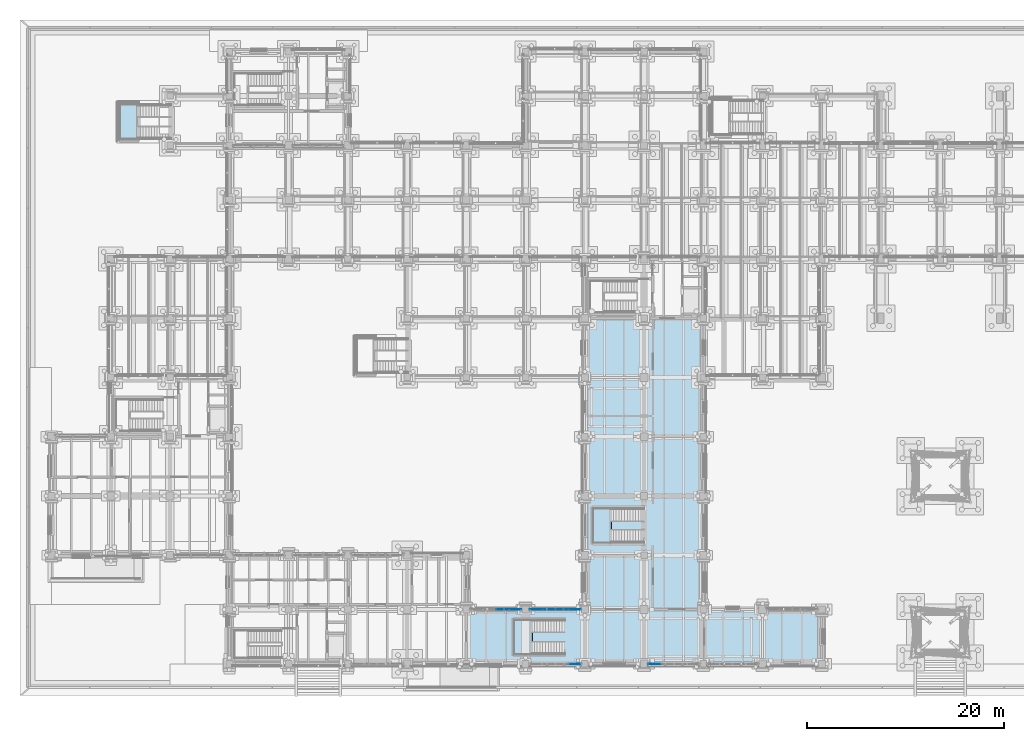
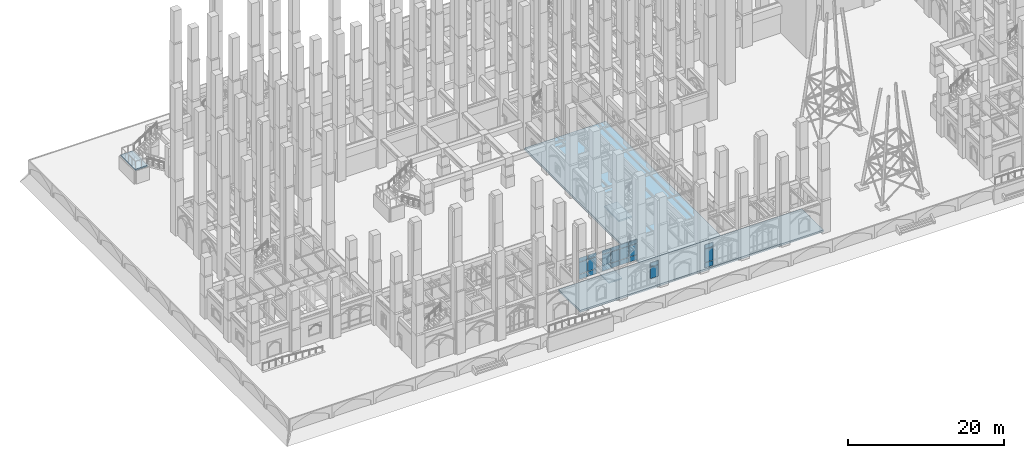
# One storey, part 52 of 135: 23 plates, 5 slabs, 7 elements without a shape of their own.
"""IFC4 building model written with IfcOpenShell, lengths in metres."""

from ifc_helpers import new_model, si_unit, direction, frame, origin, origin_2d, place, context, subcontext, project, spatial, polyline, rectangle, outline, extrude, material, layer, layer_set, type_object, element, aggregate, save


model = new_model("IFC4")

# Units and contexts
model_context = context("Model", 3, precision=1e-05, world=origin(), true_north=direction((0.0, 1.0)))
body_context = subcontext(model_context, "Body", "Model", "MODEL_VIEW")
ifc_project = project(units=[si_unit("LENGTHUNIT", "METRE"), si_unit("AREAUNIT", "SQUARE_METRE"), si_unit("VOLUMEUNIT", "CUBIC_METRE"), si_unit("PLANEANGLEUNIT", "RADIAN"), si_unit("MASSUNIT", "GRAM", prefix="KILO")], contexts=[model_context])

# Site, building, storey
site_placement = place(None, origin())
site = spatial("IfcSite", under=ifc_project, at=site_placement, CompositionType="ELEMENT")
building_placement = place(site_placement, origin())
building = spatial("IfcBuilding", under=site, at=building_placement, Name="Cumevento Cable Car Station", CompositionType="ELEMENT")
storey_placement = place(building_placement, origin())
storey = spatial("IfcBuildingStorey", under=building, at=storey_placement, Name="L01", CompositionType="ELEMENT", Elevation=0.0)

# Slabs
ifc_material_1 = material(Name="Concrete C40/50", Category="concrete")
ifc_layer_1 = layer(ifc_material_1, 0.31005859375)
ifc_layer_set_1 = layer_set([ifc_layer_1], Name="Concrete C40/50")
slab_type_1 = type_object("IfcSlabType", Name="Concrete Deck BS-310 310", PredefinedType="BASESLAB", material=ifc_layer_set_1)
slab_1_placement = place(storey_placement, frame((0.0, 0.0, -0.31005859375)))
element("IfcSlab", 1, at=slab_1_placement, inside=storey, type_object=slab_type_1, Name="Base Slab BS-310 L01 B_V1b.1", PredefinedType="BASESLAB", context=body_context, shape_type="SweptSolid", body=[
    extrude(outline(polyline([(46.0, 4.0), (82.0, 4.0), (82.0, 9.5), (46.0, 9.5), (46.0, 4.0)])), origin(), (0.0, 0.0, 1.0), 0.31005859375),
])
ifc_material_2 = material(Name="Concrete C40/50", Category="concrete")
ifc_layer_2 = layer(ifc_material_2, 0.35009765625)
ifc_layer_set_2 = layer_set([ifc_layer_2], Name="Concrete C40/50")
slab_type_2 = type_object("IfcSlabType", Name="Concrete Deck BS-350 350", PredefinedType="BASESLAB", material=ifc_layer_set_2)
slab_2_placement = place(storey_placement, frame((0.0, 0.0, -0.35009765625)))
element("IfcSlab", 2, at=slab_2_placement, inside=storey, type_object=slab_type_2, Name="Base Slab BS-350 L01 B_V2b.1", PredefinedType="BASESLAB", context=body_context, shape_type="SweptSolid", body=[
    extrude(outline(polyline([(58.0, 9.5), (70.0, 9.5), (70.0, 39.0), (58.0, 39.0), (58.0, 9.5)])), origin(), (0.0, 0.0, 1.0), 0.35009765625),
])

# Curtain wall, plates
ifc_material_3 = material(Name="Anodised Bronze Aluminium AW-6063-T6", Category="aluminium")
ifc_layer_3 = layer(ifc_material_3, 0.18994140625)
ifc_layer_set_3 = layer_set([ifc_layer_3], Name="Anodised Bronze Aluminium AW-6063-T6")
curtain_wall_type_1 = type_object("IfcCurtainWallType", Name="Lancet Curtain Wall CW-06 1250", PredefinedType="NOTDEFINED", material=ifc_layer_set_3)
curtain_wall_1_placement = place(storey_placement, origin())
curtain_wall_1 = element("IfcCurtainWall", 3, at=curtain_wall_1_placement, inside=storey, type_object=curtain_wall_type_1, Name="Lancet Curtain Wall CW-06 L01 #5", PredefinedType="NOTDEFINED")
ifc_material_4 = material(Name="Solar Control Laminated Double Glazing", Category="glass")
ifc_layer_4 = layer(ifc_material_4, 0.0419921875)
ifc_layer_set_4 = layer_set([ifc_layer_4], Name="Solar Control Laminated Double Glazing")
plate_type_1 = type_object("IfcPlateType", Name="Glazed Panel CWP-06 42", PredefinedType="CURTAIN_PANEL", material=ifc_layer_set_4)
plate_1_placement = place(storey_placement, frame((49.64697265625, 9.5, 0.47509765625), z_axis=(0.0, 0.0, 1.0), x_axis=(1.0, 0.0, 0.0)))
plate_1 = element("IfcPlate", 4, at=plate_1_placement, type_object=plate_type_1, Name="CW-06 panel 3.1", PredefinedType="CURTAIN_PANEL", context=body_context, shape_type="SweptSolid", body=[
    extrude(rectangle(XDim=1.253662109375, YDim=0.0419921875, at=origin_2d()), origin(), (0.0, 0.0, 1.0), 0.75244140625),
])
plate_2_placement = place(storey_placement, frame((49.64697265625, 9.5, 1.29248046875), z_axis=(0.0, 0.0, 1.0), x_axis=(1.0, 0.0, 0.0)))
plate_2 = element("IfcPlate", 5, at=plate_2_placement, type_object=plate_type_1, Name="CW-06 panel 3.2", PredefinedType="CURTAIN_PANEL", context=body_context, shape_type="SweptSolid", body=[
    extrude(rectangle(XDim=1.253662109375, YDim=0.0419921875, at=origin_2d()), origin(), (0.0, 0.0, 1.0), 1.843994140625),
])
plate_3_placement = place(storey_placement, frame((49.64697265625, 9.5, 3.201416015625), z_axis=(0.0, 0.0, 1.0), x_axis=(1.0, 0.0, 0.0)))
plate_3 = element("IfcPlate", 6, at=plate_3_placement, type_object=plate_type_1, Name="CW-06 panel 3.3", PredefinedType="CURTAIN_PANEL", context=body_context, shape_type="SweptSolid", body=[
    extrude(rectangle(XDim=1.253662109375, YDim=0.0419921875, at=origin_2d()), origin(), (0.0, 0.0, 1.0), 0.6025390625),
])
plate_4_placement = place(storey_placement, frame((50.949462890625, 9.5, 0.47509765625), z_axis=(0.0, 0.0, 1.0), x_axis=(1.0, 0.0, 0.0)))
plate_4 = element("IfcPlate", 7, at=plate_4_placement, type_object=plate_type_1, Name="CW-06 panel 4.1", PredefinedType="CURTAIN_PANEL", context=body_context, shape_type="SweptSolid", body=[
    extrude(rectangle(XDim=1.22119140625, YDim=0.0419921875, at=origin_2d()), origin(), (0.0, 0.0, 1.0), 0.75244140625),
])
plate_5_placement = place(storey_placement, frame((50.949462890625, 9.5, 1.29248046875), z_axis=(0.0, 0.0, 1.0), x_axis=(1.0, 0.0, 0.0)))
plate_5 = element("IfcPlate", 8, at=plate_5_placement, type_object=plate_type_1, Name="CW-06 panel 4.2", PredefinedType="CURTAIN_PANEL", context=body_context, shape_type="SweptSolid", body=[
    extrude(rectangle(XDim=1.22119140625, YDim=0.0419921875, at=origin_2d()), origin(), (0.0, 0.0, 1.0), 1.843994140625),
])
plate_6_placement = place(storey_placement, frame((50.949462890625, 9.5, 3.201416015625), z_axis=(0.0, 0.0, 1.0), x_axis=(1.0, 0.0, 0.0)))
plate_6 = element("IfcPlate", 9, at=plate_6_placement, type_object=plate_type_1, Name="CW-06 panel 4.3", PredefinedType="CURTAIN_PANEL", context=body_context, shape_type="SweptSolid", body=[
    extrude(rectangle(XDim=1.22119140625, YDim=0.0419921875, at=origin_2d()), origin(), (0.0, 0.0, 1.0), 0.6025390625),
])
aggregate(curtain_wall_1, [plate_1, plate_2, plate_3, plate_4, plate_5, plate_6])

ifc_material_5 = material(Name="Anodised Bronze Aluminium AW-6063-T6", Category="aluminium")
ifc_layer_5 = layer(ifc_material_5, 0.196044921875)
ifc_layer_set_5 = layer_set([ifc_layer_5], Name="Anodised Bronze Aluminium AW-6063-T6")
curtain_wall_type_2 = type_object("IfcCurtainWallType", Name="Lancet Curtain Wall CW-07 1290", PredefinedType="NOTDEFINED", material=ifc_layer_set_5)
curtain_wall_2_placement = place(storey_placement, origin())
curtain_wall_2 = element("IfcCurtainWall", 10, at=curtain_wall_2_placement, inside=storey, type_object=curtain_wall_type_2, Name="Lancet Curtain Wall CW-07 L01 #6", PredefinedType="NOTDEFINED")
ifc_material_6 = material(Name="Solar Control Laminated Double Glazing", Category="glass")
ifc_layer_6 = layer(ifc_material_6, 0.0458984375)
ifc_layer_set_6 = layer_set([ifc_layer_6], Name="Solar Control Laminated Double Glazing")
plate_type_2 = type_object("IfcPlateType", Name="Glazed Panel CWP-07 46", PredefinedType="CURTAIN_PANEL", material=ifc_layer_set_6)
plate_7_placement = place(storey_placement, frame((56.9931640625, 4.0, 1.342529296875), z_axis=(0.0, 0.0, 1.0), x_axis=(-1.0, 0.0, 0.0)))
plate_7 = element("IfcPlate", 11, at=plate_7_placement, type_object=plate_type_2, Name="CW-07 panel 1.2", PredefinedType="CURTAIN_PANEL", context=body_context, shape_type="SweptSolid", body=[
    extrude(rectangle(XDim=1.233642578125, YDim=0.0458984375, at=origin_2d()), origin(), (0.0, 0.0, 1.0), 1.7939453125),
])
plate_8_placement = place(storey_placement, frame((56.9931640625, 4.0, 3.201416015625), z_axis=(0.0, 0.0, 1.0), x_axis=(-1.0, 0.0, 0.0)))
plate_8 = element("IfcPlate", 12, at=plate_8_placement, type_object=plate_type_2, Name="CW-07 panel 1.3", PredefinedType="CURTAIN_PANEL", context=body_context, shape_type="SweptSolid", body=[
    extrude(rectangle(XDim=1.233642578125, YDim=0.0458984375, at=origin_2d()), origin(), (0.0, 0.0, 1.0), 0.6025390625),
])
aggregate(curtain_wall_2, [plate_7, plate_8])

ifc_material_7 = material(Name="Anodised Bronze Aluminium AW-6063-T6", Category="aluminium")
ifc_layer_7 = layer(ifc_material_7, 0.201904296875)
ifc_layer_set_7 = layer_set([ifc_layer_7], Name="Anodised Bronze Aluminium AW-6063-T6")
curtain_wall_type_3 = type_object("IfcCurtainWallType", Name="Lancet Curtain Wall CW-08 1330", PredefinedType="NOTDEFINED", material=ifc_layer_set_7)
curtain_wall_3_placement = place(storey_placement, origin())
curtain_wall_3 = element("IfcCurtainWall", 13, at=curtain_wall_3_placement, inside=storey, type_object=curtain_wall_type_3, Name="Lancet Curtain Wall CW-08 L01 #7", PredefinedType="NOTDEFINED")
ifc_material_8 = material(Name="Solar Control Laminated Double Glazing", Category="glass")
ifc_layer_8 = layer(ifc_material_8, 0.050048828125)
ifc_layer_set_8 = layer_set([ifc_layer_8], Name="Solar Control Laminated Double Glazing")
plate_type_3 = type_object("IfcPlateType", Name="Glazed Panel CWP-08 50", PredefinedType="CURTAIN_PANEL", material=ifc_layer_set_8)
plate_9_placement = place(storey_placement, frame((53.050537109375, 9.5, 0.5849609375), z_axis=(0.0, 0.0, 1.0), x_axis=(1.0, 0.0, 0.0)))
plate_9 = element("IfcPlate", 14, at=plate_9_placement, type_object=plate_type_3, Name="CW-08 panel 1.1", PredefinedType="CURTAIN_PANEL", context=body_context, shape_type="SweptSolid", body=[
    extrude(rectangle(XDim=1.22119140625, YDim=0.050048828125, at=origin_2d()), origin(), (0.0, 0.0, 1.0), 0.75244140625),
])
plate_10_placement = place(storey_placement, frame((53.050537109375, 9.5, 1.402587890625), z_axis=(0.0, 0.0, 1.0), x_axis=(1.0, 0.0, 0.0)))
plate_10 = element("IfcPlate", 15, at=plate_10_placement, type_object=plate_type_3, Name="CW-08 panel 1.2", PredefinedType="CURTAIN_PANEL", context=body_context, shape_type="SweptSolid", body=[
    extrude(rectangle(XDim=1.22119140625, YDim=0.050048828125, at=origin_2d()), origin(), (0.0, 0.0, 1.0), 1.7099609375),
])
plate_11_placement = place(storey_placement, frame((53.050537109375, 9.5, 3.177490234375), z_axis=(0.0, 0.0, 1.0), x_axis=(1.0, 0.0, 0.0)))
plate_11 = element("IfcPlate", 16, at=plate_11_placement, type_object=plate_type_3, Name="CW-08 panel 1.3", PredefinedType="CURTAIN_PANEL", context=body_context, shape_type="SweptSolid", body=[
    extrude(rectangle(XDim=1.22119140625, YDim=0.050048828125, at=origin_2d()), origin(), (0.0, 0.0, 1.0), 0.6025390625),
])
plate_12_placement = place(storey_placement, frame((54.35302734375, 9.5, 0.5849609375), z_axis=(0.0, 0.0, 1.0), x_axis=(1.0, 0.0, 0.0)))
plate_12 = element("IfcPlate", 17, at=plate_12_placement, type_object=plate_type_3, Name="CW-08 panel 2.1", PredefinedType="CURTAIN_PANEL", context=body_context, shape_type="SweptSolid", body=[
    extrude(rectangle(XDim=1.253662109375, YDim=0.050048828125, at=origin_2d()), origin(), (0.0, 0.0, 1.0), 0.75244140625),
])
plate_13_placement = place(storey_placement, frame((54.35302734375, 9.5, 1.402587890625), z_axis=(0.0, 0.0, 1.0), x_axis=(1.0, 0.0, 0.0)))
plate_13 = element("IfcPlate", 18, at=plate_13_placement, type_object=plate_type_3, Name="CW-08 panel 2.2", PredefinedType="CURTAIN_PANEL", context=body_context, shape_type="SweptSolid", body=[
    extrude(rectangle(XDim=1.253662109375, YDim=0.050048828125, at=origin_2d()), origin(), (0.0, 0.0, 1.0), 1.7099609375),
])
plate_14_placement = place(storey_placement, frame((54.35302734375, 9.5, 3.177490234375), z_axis=(0.0, 0.0, 1.0), x_axis=(1.0, 0.0, 0.0)))
plate_14 = element("IfcPlate", 19, at=plate_14_placement, type_object=plate_type_3, Name="CW-08 panel 2.3", PredefinedType="CURTAIN_PANEL", context=body_context, shape_type="SweptSolid", body=[
    extrude(rectangle(XDim=1.253662109375, YDim=0.050048828125, at=origin_2d()), origin(), (0.0, 0.0, 1.0), 0.6025390625),
])
plate_15_placement = place(storey_placement, frame((55.671875, 9.5, 0.5849609375), z_axis=(0.0, 0.0, 1.0), x_axis=(1.0, 0.0, 0.0)))
plate_15 = element("IfcPlate", 20, at=plate_15_placement, type_object=plate_type_3, Name="CW-08 panel 3.1", PredefinedType="CURTAIN_PANEL", context=body_context, shape_type="SweptSolid", body=[
    extrude(rectangle(XDim=1.253662109375, YDim=0.050048828125, at=origin_2d()), origin(), (0.0, 0.0, 1.0), 0.75244140625),
])
plate_16_placement = place(storey_placement, frame((55.671875, 9.5, 1.402587890625), z_axis=(0.0, 0.0, 1.0), x_axis=(1.0, 0.0, 0.0)))
plate_16 = element("IfcPlate", 21, at=plate_16_placement, type_object=plate_type_3, Name="CW-08 panel 3.2", PredefinedType="CURTAIN_PANEL", context=body_context, shape_type="SweptSolid", body=[
    extrude(rectangle(XDim=1.253662109375, YDim=0.050048828125, at=origin_2d()), origin(), (0.0, 0.0, 1.0), 1.7099609375),
])
plate_17_placement = place(storey_placement, frame((55.671875, 9.5, 3.177490234375), z_axis=(0.0, 0.0, 1.0), x_axis=(1.0, 0.0, 0.0)))
plate_17 = element("IfcPlate", 22, at=plate_17_placement, type_object=plate_type_3, Name="CW-08 panel 3.3", PredefinedType="CURTAIN_PANEL", context=body_context, shape_type="SweptSolid", body=[
    extrude(rectangle(XDim=1.253662109375, YDim=0.050048828125, at=origin_2d()), origin(), (0.0, 0.0, 1.0), 0.6025390625),
])
plate_18_placement = place(storey_placement, frame((56.974365234375, 9.5, 0.5849609375), z_axis=(0.0, 0.0, 1.0), x_axis=(1.0, 0.0, 0.0)))
plate_18 = element("IfcPlate", 23, at=plate_18_placement, type_object=plate_type_3, Name="CW-08 panel 4.1", PredefinedType="CURTAIN_PANEL", context=body_context, shape_type="SweptSolid", body=[
    extrude(rectangle(XDim=1.22119140625, YDim=0.050048828125, at=origin_2d()), origin(), (0.0, 0.0, 1.0), 0.75244140625),
])
plate_19_placement = place(storey_placement, frame((56.974365234375, 9.5, 1.402587890625), z_axis=(0.0, 0.0, 1.0), x_axis=(1.0, 0.0, 0.0)))
plate_19 = element("IfcPlate", 24, at=plate_19_placement, type_object=plate_type_3, Name="CW-08 panel 4.2", PredefinedType="CURTAIN_PANEL", context=body_context, shape_type="SweptSolid", body=[
    extrude(rectangle(XDim=1.22119140625, YDim=0.050048828125, at=origin_2d()), origin(), (0.0, 0.0, 1.0), 1.7099609375),
])
plate_20_placement = place(storey_placement, frame((56.974365234375, 9.5, 3.177490234375), z_axis=(0.0, 0.0, 1.0), x_axis=(1.0, 0.0, 0.0)))
plate_20 = element("IfcPlate", 25, at=plate_20_placement, type_object=plate_type_3, Name="CW-08 panel 4.3", PredefinedType="CURTAIN_PANEL", context=body_context, shape_type="SweptSolid", body=[
    extrude(rectangle(XDim=1.22119140625, YDim=0.050048828125, at=origin_2d()), origin(), (0.0, 0.0, 1.0), 0.6025390625),
])
aggregate(curtain_wall_3, [plate_9, plate_10, plate_11, plate_12, plate_13, plate_14, plate_15, plate_16, plate_17, plate_18, plate_19, plate_20])

ifc_material_9 = material(Name="Anodised Bronze Aluminium AW-6063-T6", Category="aluminium")
ifc_layer_9 = layer(ifc_material_9, 0.2080078125)
ifc_layer_set_9 = layer_set([ifc_layer_9], Name="Anodised Bronze Aluminium AW-6063-T6")
curtain_wall_type_4 = type_object("IfcCurtainWallType", Name="Lancet Curtain Wall CW-09 1370", PredefinedType="NOTDEFINED", material=ifc_layer_set_9)
curtain_wall_4_placement = place(storey_placement, origin())
curtain_wall_4 = element("IfcCurtainWall", 26, at=curtain_wall_4_placement, inside=storey, type_object=curtain_wall_type_4, Name="Lancet Curtain Wall CW-09 L01 #8", PredefinedType="NOTDEFINED")
ifc_material_10 = material(Name="Insulated Bronze Aluminium Spandrel Panel", Category="aluminium")
ifc_layer_10 = layer(ifc_material_10, 0.054931640625)
ifc_layer_set_10 = layer_set([ifc_layer_10], Name="Insulated Bronze Aluminium Spandrel Panel")
plate_type_4 = type_object("IfcPlateType", Name="Spandrel Panel CWP-09 55", PredefinedType="CURTAIN_PANEL", material=ifc_layer_set_10)
plate_21_placement = place(storey_placement, frame((65.0537109375, 4.0, 0.22509765625), z_axis=(0.0, 0.0, 1.0), x_axis=(-1.0, 0.0, 0.0)))
plate_21 = element("IfcPlate", 27, at=plate_21_placement, type_object=plate_type_4, Name="CW-09 panel 4.1", PredefinedType="CURTAIN_PANEL", context=body_context, shape_type="SweptSolid", body=[
    extrude(rectangle(XDim=1.2275390625, YDim=0.054931640625, at=origin_2d()), origin(), (0.0, 0.0, 1.0), 0.75244140625),
])
plate_22_placement = place(storey_placement, frame((65.0537109375, 4.0, 1.04248046875), z_axis=(0.0, 0.0, 1.0), x_axis=(-1.0, 0.0, 0.0)))
plate_22 = element("IfcPlate", 28, at=plate_22_placement, type_object=plate_type_4, Name="CW-09 panel 4.2", PredefinedType="CURTAIN_PANEL", context=body_context, shape_type="SweptSolid", body=[
    extrude(rectangle(XDim=1.2275390625, YDim=0.054931640625, at=origin_2d()), origin(), (0.0, 0.0, 1.0), 2.093994140625),
])
plate_23_placement = place(storey_placement, frame((65.0537109375, 4.0, 3.201416015625), z_axis=(0.0, 0.0, 1.0), x_axis=(-1.0, 0.0, 0.0)))
plate_23 = element("IfcPlate", 29, at=plate_23_placement, type_object=plate_type_4, Name="CW-09 panel 4.3", PredefinedType="CURTAIN_PANEL", context=body_context, shape_type="SweptSolid", body=[
    extrude(rectangle(XDim=1.2275390625, YDim=0.054931640625, at=origin_2d()), origin(), (0.0, 0.0, 1.0), 0.6025390625),
])
aggregate(curtain_wall_4, [plate_21, plate_22, plate_23])

# Stair, slab
ifc_material_11 = material(Name="Concrete C40/50", Category="concrete")
stair_type_1 = type_object("IfcStairType", Name="Half-Turn Stair ST-T03 1320", PredefinedType="HALF_TURN_STAIR", material=ifc_material_11)
stair_1_placement = place(storey_placement, origin())
stair_1 = element("IfcStair", 30, at=stair_1_placement, inside=storey, type_object=stair_type_1, Name="NW Hillside Trailhead Plinth Stone Stair L01-L02", PredefinedType="HALF_TURN_STAIR")
ifc_material_12 = material(Name="Concrete C40/50", Category="concrete")
ifc_layer_11 = layer(ifc_material_12, 0.198974609375)
ifc_layer_set_11 = layer_set([ifc_layer_11], Name="Concrete C40/50")
slab_type_3 = type_object("IfcSlabType", Name="Stair Landing STL-T03 199", PredefinedType="LANDING", material=ifc_layer_set_11)
slab_3_placement = place(storey_placement, frame((0.0, 0.0, 2.051025390625)))
slab_3 = element("IfcSlab", 31, at=slab_3_placement, type_object=slab_type_3, Name="ST-16 Half-Landing", PredefinedType="LANDING", context=body_context, shape_type="SweptSolid", body=[
    extrude(outline(polyline([(10.820068359375, 57.02001953125), (12.800048828125, 57.02001953125), (12.800048828125, 60.780029296875), (10.820068359375, 60.780029296875), (10.820068359375, 57.02001953125)])), origin(), (0.0, 0.0, 1.0), 0.198974609375),
])
aggregate(stair_1, [slab_3])

ifc_material_13 = material(Name="Concrete C40/50", Category="concrete")
stair_type_2 = type_object("IfcStairType", Name="Half-Turn Stair ST-T04 1350", PredefinedType="HALF_TURN_STAIR", material=ifc_material_13)
stair_2_placement = place(storey_placement, origin())
stair_2 = element("IfcStair", 32, at=stair_2_placement, inside=storey, type_object=stair_type_2, Name="Ticket Concourse Monumental Stair L01-L02", PredefinedType="HALF_TURN_STAIR")
ifc_material_14 = material(Name="Concrete C40/50", Category="concrete")
ifc_layer_12 = layer(ifc_material_14, 0.20703125)
ifc_layer_set_12 = layer_set([ifc_layer_12], Name="Concrete C40/50")
slab_type_4 = type_object("IfcSlabType", Name="Stair Landing STL-T04 207", PredefinedType="LANDING", material=ifc_layer_set_12)
slab_4_placement = place(storey_placement, frame((0.0, 0.0, 2.04296875)))
slab_4 = element("IfcSlab", 33, at=slab_4_placement, type_object=slab_type_4, Name="ST-07 Half-Landing", PredefinedType="LANDING", context=body_context, shape_type="SweptSolid", body=[
    extrude(outline(polyline([(50.719970703125, 4.820068359375), (52.699951171875, 4.820068359375), (52.699951171875, 8.580078125), (50.719970703125, 8.580078125), (50.719970703125, 4.820068359375)])), origin(), (0.0, 0.0, 1.0), 0.20703125),
])
aggregate(stair_2, [slab_4])

ifc_material_15 = material(Name="Concrete C40/50", Category="concrete")
stair_type_3 = type_object("IfcStairType", Name="Half-Turn Stair ST-T06 1410", PredefinedType="HALF_TURN_STAIR", material=ifc_material_15)
stair_3_placement = place(storey_placement, origin())
stair_3 = element("IfcStair", 34, at=stair_3_placement, inside=storey, type_object=stair_type_3, Name="Cloister Spine Gallery Stair L01-L02", PredefinedType="HALF_TURN_STAIR")
ifc_material_16 = material(Name="Concrete C40/50", Category="concrete")
ifc_layer_13 = layer(ifc_material_16, 0.222900390625)
ifc_layer_set_13 = layer_set([ifc_layer_13], Name="Concrete C40/50")
slab_type_5 = type_object("IfcSlabType", Name="Stair Landing STL-T06 223", PredefinedType="LANDING", material=ifc_layer_set_13)
slab_5_placement = place(storey_placement, frame((0.0, 0.0, 2.027099609375)))
slab_5 = element("IfcSlab", 35, at=slab_5_placement, type_object=slab_type_5, Name="ST-09 Half-Landing", PredefinedType="LANDING", context=body_context, shape_type="SweptSolid", body=[
    extrude(outline(polyline([(58.719970703125, 16.1201171875), (60.699951171875, 16.1201171875), (60.699951171875, 19.8798828125), (58.719970703125, 19.8798828125), (58.719970703125, 16.1201171875)])), origin(), (0.0, 0.0, 1.0), 0.222900390625),
])
aggregate(stair_3, [slab_5])

save(model, "model.ifc")
